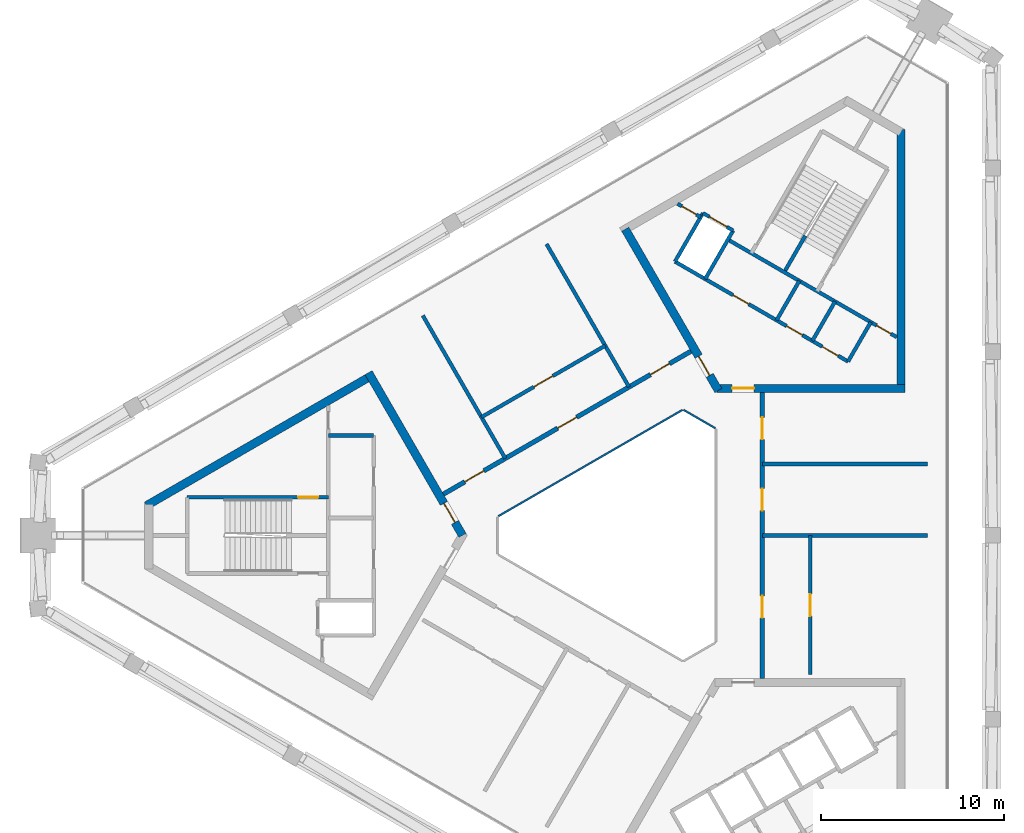
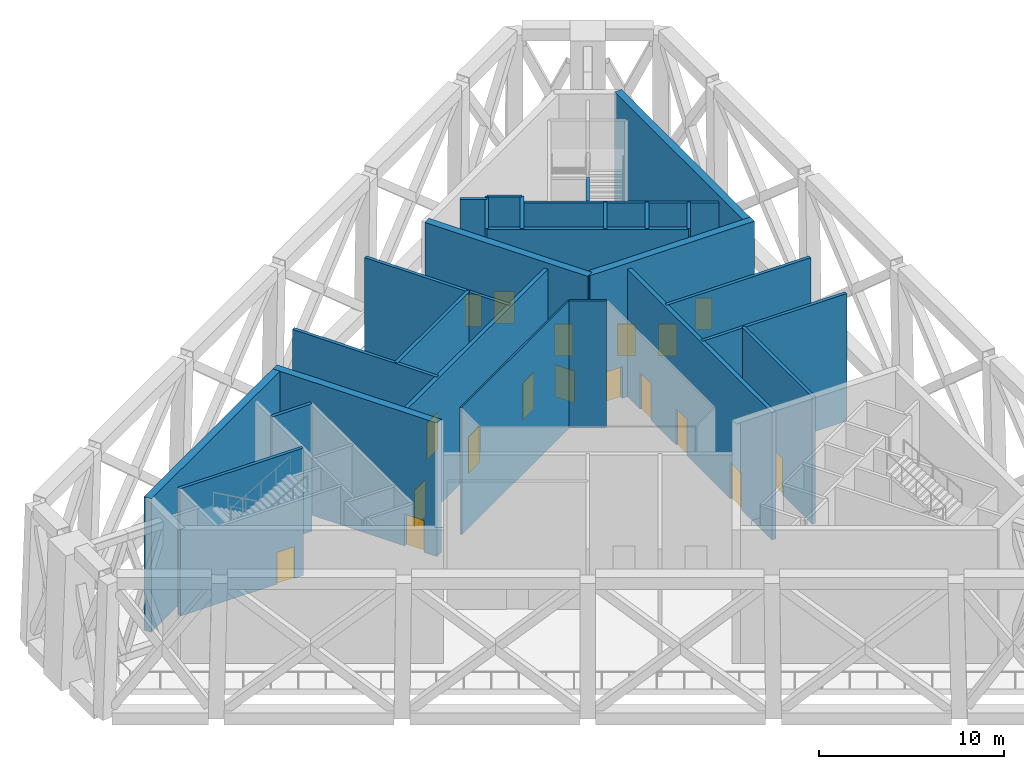
# One storey, part 5 of 8: 27 walls, 18 doors, 18 openings.
"""IFC4 building model written with IfcOpenShell, lengths in metres."""

from ifc_helpers import new_model, si_unit, direction, frame, frame_2d, origin, place, context, subcontext, project, spatial, rectangle, extrude, material, layer, layer_set, type_object, element, fill, save


model = new_model("IFC4")

# Units and contexts
model_context = context("Model", 3, precision=1e-05, world=origin(), true_north=direction((0.0, 1.0)))
body_context = subcontext(model_context, "Body", "Model", "MODEL_VIEW")
ifc_project = project(units=[si_unit("LENGTHUNIT", "METRE"), si_unit("AREAUNIT", "SQUARE_METRE"), si_unit("VOLUMEUNIT", "CUBIC_METRE"), si_unit("PLANEANGLEUNIT", "RADIAN"), si_unit("MASSUNIT", "GRAM", prefix="KILO")], contexts=[model_context])

# Site, building, storey
site_placement = place(None, origin())
site = spatial("IfcSite", under=ifc_project, at=site_placement, CompositionType="ELEMENT")
building_placement = place(site_placement, origin())
building = spatial("IfcBuilding", under=site, at=building_placement, Name="Jabali Bay Hotel Tower and Convention Centre", CompositionType="ELEMENT")
storey_placement = place(building_placement, frame((0.0, 0.0, 246.5)))
storey = spatial("IfcBuildingStorey", under=building, at=storey_placement, Name="L61", CompositionType="ELEMENT", Elevation=246.5)

# Walls
ifc_material_1 = material(Name="Fire-resistant glazing", Category="glass")
ifc_layer_1 = layer(ifc_material_1, 0.10009765625)
ifc_layer_set_1 = layer_set([ifc_layer_1], Name="Fire-resistant glazing")
wall_type_1 = type_object("IfcWallType", Name="Atrium glazed screen 100", PredefinedType="PARTITIONING", material=ifc_layer_set_1)
wall_1_placement = place(storey_placement, frame((79.530029296875, 85.84619140625, 0.0), z_axis=(0.0, 0.0, 1.0), x_axis=(-0.866041268327, 0.499972520799, 0.0)))
element("IfcWall", 1, at=wall_1_placement, inside=storey, type_object=wall_type_1, Name="Atrium screen 2 L61", PredefinedType="PARTITIONING", context=body_context, shape_type="SweptSolid", body=[
    extrude(rectangle(XDim=2.0, YDim=0.10009765625, at=frame_2d((1.0, 0.0))), origin(), (0.0, 0.0, 1.0), 8.39990234375),
])
wall_2_placement = place(storey_placement, frame((77.738037109375, 86.84619140625, 0.0), z_axis=(0.0, 0.0, 1.0), x_axis=(-0.866026658274, -0.499997827154, 0.0)))
element("IfcWall", 2, at=wall_2_placement, inside=storey, type_object=wall_type_1, Name="Atrium screen 3 L61", PredefinedType="PARTITIONING", context=body_context, shape_type="SweptSolid", body=[
    extrude(rectangle(XDim=11.58837890625, YDim=0.10009765625, at=frame_2d((5.794189453125, 0.0))), origin(), (0.0, 0.0, 1.0), 8.39990234375),
])

# Wall, opening, door
ifc_material_2 = material(Name="Concrete C40", Category="concrete")
ifc_layer_2 = layer(ifc_material_2, 0.199951171875)
ifc_layer_set_2 = layer_set([ifc_layer_2], Name="Concrete C40")
wall_type_2 = type_object("IfcWallType", Name="Core partition wall 200", PredefinedType="PARTITIONING", material=ifc_layer_set_2)
wall_3_placement = place(storey_placement, frame((78.730224609375, 97.36083984375, 0.0), z_axis=(0.0, 0.0, 1.0), x_axis=(-0.866045896294, 0.499964504253, 0.0)))
wall_3 = element("IfcWall", 3, at=wall_3_placement, inside=storey, type_object=wall_type_2, Name="Core wall 1.11 L61", PredefinedType="PARTITIONING", context=body_context, shape_type="SweptSolid", body=[
    extrude(rectangle(XDim=1.455078125, YDim=0.199951171875, at=frame_2d((0.7275390625, 0.0))), origin(), (0.0, 0.0, 1.0), 8.39990234375),
])
opening_1_placement = place(wall_3_placement, frame((0.277587890625, 0.0, 0.0)))
opening_1 = element("IfcOpeningElement", 4, at=opening_1_placement, cuts=wall_3, Name="Opening D1342", PredefinedType="OPENING", context=body_context, shape_type="SweptSolid", body=[
    extrude(rectangle(XDim=0.89990234375, YDim=2.10009765625, at=frame_2d((0.449951171875, 1.050048828125))), frame((0.0, 0.1103515625, 0.0), z_axis=(0.0, -1.0, 0.0), x_axis=(1.0, 0.0, 0.0)), (0.0, 0.0, 1.0), 0.220947265625),
])
ifc_material_3 = material(Name="Fire-rated steel door", Category="steel")
door_type_1 = type_object("IfcDoorType", Name="Vestibule fire door 900 x 2100", OperationType="NOTDEFINED", PredefinedType="NOTDEFINED", material=ifc_material_3)
door_1_placement = place(opening_1_placement, origin())
door_1 = element("IfcDoor", 5, at=door_1_placement, inside=storey, type_object=door_type_1, Name="Vestibule fire door D1342", OperationType="SINGLE_SWING_LEFT", OverallHeight=2.10009765625, OverallWidth=0.89990234375, PredefinedType="NOTDEFINED", context=body_context, shape_type="SweptSolid", body=[
    extrude(rectangle(XDim=0.89990234375, YDim=2.10009765625, at=frame_2d((0.449951171875, 1.050048828125))), frame((0.0, 0.02490234375, 0.0), z_axis=(0.0, -1.0, 0.0), x_axis=(1.0, 0.0, 0.0)), (0.0, 0.0, 1.0), 0.050048828125),
])
fill(opening_1, door_1)

# Wall
ifc_layer_3 = layer(ifc_material_2, 0.199951171875)
ifc_layer_set_3 = layer_set([ifc_layer_3], Name="Concrete C40")
wall_type_3 = type_object("IfcWallType", Name="Core stair wall 200", PredefinedType="SOLIDWALL", material=ifc_layer_set_3)
wall_4_placement = place(storey_placement, frame((60.89990234375, 85.449951171875, 0.0), z_axis=(0.0, 0.0, 1.0), x_axis=(-1.0, 0.0, 0.0)))
element("IfcWall", 6, at=wall_4_placement, inside=storey, type_object=wall_type_3, Name="Core wall 0.0 L61", PredefinedType="SOLIDWALL", context=body_context, shape_type="SweptSolid", body=[
    extrude(rectangle(XDim=2.47998046875, YDim=0.199951171875, at=frame_2d((1.239990234375, 0.0))), origin(), (0.0, 0.0, 1.0), 8.39990234375),
])

# Wall, opening, door
wall_5_placement = place(storey_placement, frame((58.419921875, 82.074951171875, 0.0), z_axis=(0.0, 0.0, 1.0), x_axis=(-1.0, 0.0, 0.0)))
wall_5 = element("IfcWall", 7, at=wall_5_placement, inside=storey, type_object=wall_type_3, Name="Core wall 0.1 L61", PredefinedType="SOLIDWALL", context=body_context, shape_type="SweptSolid", body=[
    extrude(rectangle(XDim=7.699951171875, YDim=0.199951171875, at=frame_2d((3.85009765625, 0.0))), origin(), (0.0, 0.0, 1.0), 8.39990234375),
])
opening_2_placement = place(wall_5_placement, frame((0.550048828125, 0.0, 0.0)))
opening_2 = element("IfcOpeningElement", 8, at=opening_2_placement, cuts=wall_5, Name="Opening D1336", PredefinedType="OPENING", context=body_context, shape_type="SweptSolid", body=[
    extrude(rectangle(XDim=1.10009765625, YDim=2.10009765625, at=frame_2d((0.550048828125, 1.050048828125))), frame((0.0, 0.1103515625, 0.0), z_axis=(0.0, -1.0, 0.0), x_axis=(1.0, 0.0, 0.0)), (0.0, 0.0, 1.0), 0.220947265625),
])
door_type_2 = type_object("IfcDoorType", Name="Stair fire door 1100 x 2100", OperationType="NOTDEFINED", PredefinedType="NOTDEFINED", material=ifc_material_3)
door_2_placement = place(opening_2_placement, origin())
door_2 = element("IfcDoor", 9, at=door_2_placement, inside=storey, type_object=door_type_2, Name="Stair fire door D1336", OperationType="SINGLE_SWING_LEFT", OverallHeight=2.10009765625, OverallWidth=1.10009765625, PredefinedType="NOTDEFINED", context=body_context, shape_type="SweptSolid", body=[
    extrude(rectangle(XDim=1.10009765625, YDim=2.10009765625, at=frame_2d((0.550048828125, 1.050048828125))), frame((0.0, 0.02490234375, 0.0), z_axis=(0.0, -1.0, 0.0), x_axis=(1.0, 0.0, 0.0)), (0.0, 0.0, 1.0), 0.050048828125),
])
fill(opening_2, door_2)

# Walls
for number, where, z_axis, x_axis, name in (
    (10, (86.769775390625, 89.48583984375, 0.0), (0.0, 0.0, 1.0), (0.499961042966, 0.86604789447, 0.0), "Core wall 1.0 L61"),
    (11, (84.8212890625, 90.61083984375, 0.0), (0.0, 0.0, 1.0), (0.499961042966, 0.86604789447, 0.0), "Core wall 1.1 L61"),
    (12, (82.872802734375, 91.73583984375, 0.0), (0.0, 0.0, 1.0), (0.499961042966, 0.86604789447, 0.0), "Core wall 1.3 L61"),
):
    element("IfcWall", number, at=place(storey_placement, frame(where, z_axis=z_axis, x_axis=x_axis)), inside=storey, type_object=wall_type_3, Name=name, PredefinedType="SOLIDWALL", context=body_context, shape_type="SweptSolid", body=[
        extrude(rectangle(XDim=2.480224609375, YDim=0.199951171875, at=frame_2d((1.240234375, 0.0))), origin(), (0.0, 0.0, 1.0), 8.39990234375),
    ])
wall_6_placement = place(storey_placement, frame((83.340087890625, 94.4453125, 0.0), z_axis=(0.0, 0.0, 1.0), x_axis=(0.499946605688, 0.86605622881, 0.0)))
element("IfcWall", 13, at=wall_6_placement, inside=storey, type_object=wall_type_3, Name="Core wall 1.4 L61", PredefinedType="SOLIDWALL", context=body_context, shape_type="SweptSolid", body=[
    extrude(rectangle(XDim=2.199951171875, YDim=0.199951171875, at=frame_2d((1.10009765625, 0.0))), origin(), (0.0, 0.0, 1.0), 8.39990234375),
])
for number, where, z_axis, x_axis, name in (
    (14, (78.9755859375, 93.98583984375, 0.0), (0.0, 0.0, 1.0), (0.499944174705, 0.866057632134, 0.0), "Core wall 1.7 L61"),
    (15, (77.330078125, 94.93603515625, 0.0), (0.0, 0.0, 1.0), (0.500038867431, 0.8660029625, 0.0), "Core wall 1.8 L61"),
):
    element("IfcWall", number, at=place(storey_placement, frame(where, z_axis=z_axis, x_axis=x_axis)), inside=storey, type_object=wall_type_3, Name=name, PredefinedType="SOLIDWALL", context=body_context, shape_type="SweptSolid", body=[
        extrude(rectangle(XDim=3.050048828125, YDim=0.199951171875, at=frame_2d((1.52490234375, 0.0))), origin(), (0.0, 0.0, 1.0), 8.39990234375),
    ])

# Wall, openings, doors
wall_7_placement = place(storey_placement, frame((86.769775390625, 89.48583984375, 0.0), z_axis=(0.0, 0.0, 1.0), x_axis=(-0.86601811187, 0.500012629753, 0.0)))
wall_7 = element("IfcWall", 16, at=wall_7_placement, inside=storey, type_object=wall_type_3, Name="Core wall 1.9 L61", PredefinedType="SOLIDWALL", context=body_context, shape_type="SweptSolid", body=[
    extrude(rectangle(XDim=10.900146484375, YDim=0.199951171875, at=frame_2d((5.4501953125, 0.0))), origin(), (0.0, 0.0, 1.0), 8.39990234375),
])
opening_3_placement = place(wall_7_placement, frame((0.625, 0.0, 0.0)))
opening_3 = element("IfcOpeningElement", 17, at=opening_3_placement, cuts=wall_7, Name="Opening D1339", PredefinedType="OPENING", context=body_context, shape_type="SweptSolid", body=[
    extrude(rectangle(XDim=1.0, YDim=2.10009765625, at=frame_2d((0.5, 1.050048828125))), frame((0.0, 0.1103515625, 0.0), z_axis=(0.0, -1.0, 0.0), x_axis=(1.0, 0.0, 0.0)), (0.0, 0.0, 1.0), 0.220947265625),
])
opening_4_placement = place(wall_7_placement, frame((2.875, 0.0, 0.0)))
opening_4 = element("IfcOpeningElement", 18, at=opening_4_placement, cuts=wall_7, Name="Opening D1340", PredefinedType="OPENING", context=body_context, shape_type="SweptSolid", body=[
    extrude(rectangle(XDim=1.0, YDim=2.10009765625, at=frame_2d((0.5, 1.050048828125))), frame((0.0, 0.1103515625, 0.0), z_axis=(0.0, -1.0, 0.0), x_axis=(1.0, 0.0, 0.0)), (0.0, 0.0, 1.0), 0.220947265625),
])
opening_5_placement = place(wall_7_placement, frame((6.25, 0.0, 0.0)))
opening_5 = element("IfcOpeningElement", 19, at=opening_5_placement, cuts=wall_7, Name="Opening D1341", PredefinedType="OPENING", context=body_context, shape_type="SweptSolid", body=[
    extrude(rectangle(XDim=1.0, YDim=2.10009765625, at=frame_2d((0.5, 1.050048828125))), frame((0.0, 0.1103515625, 0.0), z_axis=(0.0, -1.0, 0.0), x_axis=(1.0, 0.0, 0.0)), (0.0, 0.0, 1.0), 0.220947265625),
])
door_type_3 = type_object("IfcDoorType", Name="Core room door 1000 x 2100", OperationType="NOTDEFINED", PredefinedType="NOTDEFINED", material=ifc_material_3)
door_3_placement = place(opening_3_placement, origin())
door_3 = element("IfcDoor", 20, at=door_3_placement, inside=storey, type_object=door_type_3, Name="Core room door D1339", OperationType="SINGLE_SWING_RIGHT", OverallHeight=2.10009765625, OverallWidth=1.0, PredefinedType="NOTDEFINED", context=body_context, shape_type="SweptSolid", body=[
    extrude(rectangle(XDim=1.0, YDim=2.10009765625, at=frame_2d((0.5, 1.050048828125))), frame((0.0, 0.02490234375, 0.0), z_axis=(0.0, -1.0, 0.0), x_axis=(1.0, 0.0, 0.0)), (0.0, 0.0, 1.0), 0.050048828125),
])
fill(opening_3, door_3)
door_4_placement = place(opening_4_placement, origin())
door_4 = element("IfcDoor", 21, at=door_4_placement, inside=storey, type_object=door_type_3, Name="Core room door D1340", OperationType="SINGLE_SWING_RIGHT", OverallHeight=2.10009765625, OverallWidth=1.0, PredefinedType="NOTDEFINED", context=body_context, shape_type="SweptSolid", body=[
    extrude(rectangle(XDim=1.0, YDim=2.10009765625, at=frame_2d((0.5, 1.050048828125))), frame((0.0, 0.02490234375, 0.0), z_axis=(0.0, -1.0, 0.0), x_axis=(1.0, 0.0, 0.0)), (0.0, 0.0, 1.0), 0.050048828125),
])
fill(opening_4, door_4)
door_5_placement = place(opening_5_placement, origin())
door_5 = element("IfcDoor", 22, at=door_5_placement, inside=storey, type_object=door_type_3, Name="Core room door D1341", OperationType="SINGLE_SWING_RIGHT", OverallHeight=2.10009765625, OverallWidth=1.0, PredefinedType="NOTDEFINED", context=body_context, shape_type="SweptSolid", body=[
    extrude(rectangle(XDim=1.0, YDim=2.10009765625, at=frame_2d((0.5, 1.050048828125))), frame((0.0, 0.02490234375, 0.0), z_axis=(0.0, -1.0, 0.0), x_axis=(1.0, 0.0, 0.0)), (0.0, 0.0, 1.0), 0.050048828125),
])
fill(opening_5, door_5)

# Wall, opening, door
wall_8_placement = place(storey_placement, frame((89.429931640625, 90.813720703125, 0.0), z_axis=(0.0, 0.0, 1.0), x_axis=(-0.866018983788, 0.500011119594, 0.0)))
wall_8 = element("IfcWall", 23, at=wall_8_placement, inside=storey, type_object=wall_type_3, Name="Core wall 1.10 L61", PredefinedType="SOLIDWALL", context=body_context, shape_type="SweptSolid", body=[
    extrude(rectangle(XDim=10.639892578125, YDim=0.199951171875, at=frame_2d((5.31982421875, 0.0))), origin(), (0.0, 0.0, 1.0), 8.39990234375),
])
opening_6_placement = place(wall_8_placement, frame((0.369873046875, 0.0, 0.0)))
opening_6 = element("IfcOpeningElement", 24, at=opening_6_placement, cuts=wall_8, Name="Opening D1343", PredefinedType="OPENING", context=body_context, shape_type="SweptSolid", body=[
    extrude(rectangle(XDim=0.89990234375, YDim=2.10009765625, at=frame_2d((0.449951171875, 1.050048828125))), frame((0.0, 0.1103515625, 0.0), z_axis=(0.0, -1.0, 0.0), x_axis=(1.0, 0.0, 0.0)), (0.0, 0.0, 1.0), 0.220947265625),
])
door_6_placement = place(opening_6_placement, origin())
door_6 = element("IfcDoor", 25, at=door_6_placement, inside=storey, type_object=door_type_1, Name="Vestibule fire door D1343", OperationType="SINGLE_SWING_LEFT", OverallHeight=2.10009765625, OverallWidth=0.89990234375, PredefinedType="NOTDEFINED", context=body_context, shape_type="SweptSolid", body=[
    extrude(rectangle(XDim=0.89990234375, YDim=2.10009765625, at=frame_2d((0.449951171875, 1.050048828125))), frame((0.0, 0.02490234375, 0.0), z_axis=(0.0, -1.0, 0.0), x_axis=(1.0, 0.0, 0.0)), (0.0, 0.0, 1.0), 0.050048828125),
])
fill(opening_6, door_6)

wall_9_placement = place(storey_placement, frame((80.50048828125, 96.62744140625, 0.0), z_axis=(0.0, 0.0, 1.0), x_axis=(-0.86601224135, 0.500022797313, 0.0)))
wall_9 = element("IfcWall", 26, at=wall_9_placement, inside=storey, type_object=wall_type_3, Name="Core wall 1.12 L61", PredefinedType="SOLIDWALL", context=body_context, shape_type="SweptSolid", body=[
    extrude(rectangle(XDim=1.89990234375, YDim=0.199951171875, at=frame_2d((0.949951171875, 0.0))), origin(), (0.0, 0.0, 1.0), 8.39990234375),
])
opening_7_placement = place(wall_9_placement, frame((0.39990234375, 0.0, 0.0)))
opening_7 = element("IfcOpeningElement", 27, at=opening_7_placement, cuts=wall_9, Name="Opening LD10-L61", PredefinedType="OPENING", context=body_context, shape_type="SweptSolid", body=[
    extrude(rectangle(XDim=1.10009765625, YDim=2.10009765625, at=frame_2d((0.550048828125, 1.050048828125))), frame((0.0, 0.1103515625, 0.0), z_axis=(0.0, -1.0, 0.0), x_axis=(1.0, 0.0, 0.0)), (0.0, 0.0, 1.0), 0.220947265625),
])
ifc_material_4 = material(Name="Stainless steel landing door", Category="steel")
door_type_4 = type_object("IfcDoorType", Name="Landing door 1100 x 2100", OperationType="NOTDEFINED", PredefinedType="NOTDEFINED", material=ifc_material_4)
door_7_placement = place(opening_7_placement, origin())
door_7 = element("IfcDoor", 28, at=door_7_placement, inside=storey, type_object=door_type_4, Name="Landing doors LD10-L61", OperationType="SLIDING_TO_RIGHT", OverallHeight=2.10009765625, OverallWidth=1.10009765625, PredefinedType="NOTDEFINED", context=body_context, shape_type="SweptSolid", body=[
    extrude(rectangle(XDim=1.10009765625, YDim=2.10009765625, at=frame_2d((0.550048828125, 1.050048828125))), frame((0.0, 0.02490234375, 0.0), z_axis=(0.0, -1.0, 0.0), x_axis=(1.0, 0.0, 0.0)), (0.0, 0.0, 1.0), 0.050048828125),
])
fill(opening_7, door_7)

ifc_material_5 = material(Name="Concrete C60", Category="concrete")
ifc_layer_4 = layer(ifc_material_5, 0.449951171875)
ifc_layer_set_4 = layer_set([ifc_layer_4], Name="Concrete C60")
wall_type_4 = type_object("IfcWallType", Name="Core wall 450", PredefinedType="SHEAR", material=ifc_layer_set_4)
wall_10_placement = place(storey_placement, frame((65.740234375, 80.0, 0.0), z_axis=(0.0, 0.0, 1.0), x_axis=(-0.499991857942, 0.866030104553, 0.0)))
wall_10 = element("IfcWall", 29, at=wall_10_placement, inside=storey, type_object=wall_type_4, Name="Core wall 1.1 L61", PredefinedType="SHEAR", context=body_context, shape_type="SweptSolid", body=[
    extrude(rectangle(XDim=10.250244140625, YDim=0.449951171875, at=frame_2d((5.125, 0.0))), origin(), (0.0, 0.0, 1.0), 8.800048828125),
])
opening_8_placement = place(wall_10_placement, frame((0.820068359375, 0.0, 0.0)))
opening_8 = element("IfcOpeningElement", 30, at=opening_8_placement, cuts=wall_10, Name="Opening D1329", PredefinedType="OPENING", context=body_context, shape_type="SweptSolid", body=[
    extrude(rectangle(XDim=1.199951171875, YDim=2.10009765625, at=frame_2d((0.60009765625, 1.050048828125))), frame((0.0, 0.2353515625, 0.0), z_axis=(0.0, -1.0, 0.0), x_axis=(1.0, 0.0, 0.0)), (0.0, 0.0, 1.0), 0.470947265625),
])
door_type_5 = type_object("IfcDoorType", Name="Corridor end fire door 1200 x 2100", OperationType="NOTDEFINED", PredefinedType="NOTDEFINED", material=ifc_material_3)
door_8_placement = place(opening_8_placement, origin())
door_8 = element("IfcDoor", 31, at=door_8_placement, inside=storey, type_object=door_type_5, Name="Corridor end fire door D1329", OperationType="SINGLE_SWING_RIGHT", OverallHeight=2.10009765625, OverallWidth=1.199951171875, PredefinedType="NOTDEFINED", context=body_context, shape_type="SweptSolid", body=[
    extrude(rectangle(XDim=1.199951171875, YDim=2.10009765625, at=frame_2d((0.60009765625, 1.050048828125))), frame((0.0, 0.02490234375, 0.0), z_axis=(0.0, -1.0, 0.0), x_axis=(1.0, 0.0, 0.0)), (0.0, 0.0, 1.0), 0.050048828125),
])
fill(opening_8, door_8)

# Wall
wall_11_placement = place(storey_placement, frame((60.7275390625, 88.681884765625, 0.0), z_axis=(0.0, 0.0, 1.0), x_axis=(-0.866021613849, -0.500006564303, 0.0)))
element("IfcWall", 32, at=wall_11_placement, inside=storey, type_object=wall_type_4, Name="Core wall 1.2 L61", PredefinedType="SHEAR", context=body_context, shape_type="SweptSolid", body=[
    extrude(rectangle(XDim=14.108154296875, YDim=0.449951171875, at=frame_2d((7.05419921875, 0.0))), origin(), (0.0, 0.0, 1.0), 8.800048828125),
])

# Wall, opening, door
wall_12_placement = place(storey_placement, frame((79.6298828125, 88.019287109375, 0.0), z_axis=(0.0, 0.0, 1.0), x_axis=(1.0, 0.0, 0.0)))
wall_12 = element("IfcWall", 33, at=wall_12_placement, inside=storey, type_object=wall_type_4, Name="Core wall 2.1 L61", PredefinedType="SHEAR", context=body_context, shape_type="SweptSolid", body=[
    extrude(rectangle(XDim=10.25, YDim=0.449951171875, at=frame_2d((5.125, 0.0))), origin(), (0.0, 0.0, 1.0), 8.800048828125),
])
opening_9_placement = place(wall_12_placement, frame((0.820068359375, 0.0, 0.0)))
opening_9 = element("IfcOpeningElement", 34, at=opening_9_placement, cuts=wall_12, Name="Opening D1337", PredefinedType="OPENING", context=body_context, shape_type="SweptSolid", body=[
    extrude(rectangle(XDim=1.199951171875, YDim=2.10009765625, at=frame_2d((0.60009765625, 1.050048828125))), frame((0.0, 0.2353515625, 0.0), z_axis=(0.0, -1.0, 0.0), x_axis=(1.0, 0.0, 0.0)), (0.0, 0.0, 1.0), 0.470947265625),
])
door_9_placement = place(opening_9_placement, origin())
door_9 = element("IfcDoor", 35, at=door_9_placement, inside=storey, type_object=door_type_5, Name="Corridor end fire door D1337", OperationType="SINGLE_SWING_RIGHT", OverallHeight=2.10009765625, OverallWidth=1.199951171875, PredefinedType="NOTDEFINED", context=body_context, shape_type="SweptSolid", body=[
    extrude(rectangle(XDim=1.199951171875, YDim=2.10009765625, at=frame_2d((0.60009765625, 1.050048828125))), frame((0.0, 0.02490234375, 0.0), z_axis=(0.0, -1.0, 0.0), x_axis=(1.0, 0.0, 0.0)), (0.0, 0.0, 1.0), 0.050048828125),
])
fill(opening_9, door_9)

# Wall
wall_13_placement = place(storey_placement, frame((89.655029296875, 88.019287109375, 0.0), z_axis=(0.0, 0.0, 1.0), x_axis=(0.0, 1.0, 0.0)))
element("IfcWall", 36, at=wall_13_placement, inside=storey, type_object=wall_type_4, Name="Core wall 2.2 L61", PredefinedType="SHEAR", context=body_context, shape_type="SweptSolid", body=[
    extrude(rectangle(XDim=14.1083984375, YDim=0.449951171875, at=frame_2d((7.05419921875, 0.0))), origin(), (0.0, 0.0, 1.0), 8.800048828125),
])

# Wall, opening, door
wall_14_placement = place(storey_placement, frame((74.617431640625, 96.701171875, 0.0), z_axis=(0.0, 0.0, 1.0), x_axis=(0.499994385119, -0.866028645513, 0.0)))
wall_14 = element("IfcWall", 37, at=wall_14_placement, inside=storey, type_object=wall_type_4, Name="Core wall 2.5 L61", PredefinedType="SHEAR", context=body_context, shape_type="SweptSolid", body=[
    extrude(rectangle(XDim=10.15478515625, YDim=0.449951171875, at=frame_2d((5.077392578125, 0.0))), origin(), (0.0, 0.0, 1.0), 8.800048828125),
])
opening_10_placement = place(wall_14_placement, frame((8.0048828125, 0.0, 0.0)))
opening_10 = element("IfcOpeningElement", 38, at=opening_10_placement, cuts=wall_14, Name="Opening D1338", PredefinedType="OPENING", context=body_context, shape_type="SweptSolid", body=[
    extrude(rectangle(XDim=1.199951171875, YDim=2.10009765625, at=frame_2d((0.60009765625, 1.050048828125))), frame((0.0, 0.2353515625, 0.0), z_axis=(0.0, -1.0, 0.0), x_axis=(1.0, 0.0, 0.0)), (0.0, 0.0, 1.0), 0.470947265625),
])
door_10_placement = place(opening_10_placement, origin())
door_10 = element("IfcDoor", 39, at=door_10_placement, inside=storey, type_object=door_type_5, Name="Corridor end fire door D1338", OperationType="SINGLE_SWING_LEFT", OverallHeight=2.10009765625, OverallWidth=1.199951171875, PredefinedType="NOTDEFINED", context=body_context, shape_type="SweptSolid", body=[
    extrude(rectangle(XDim=1.199951171875, YDim=2.10009765625, at=frame_2d((0.60009765625, 1.050048828125))), frame((0.0, 0.02490234375, 0.0), z_axis=(0.0, -1.0, 0.0), x_axis=(1.0, 0.0, 0.0)), (0.0, 0.0, 1.0), 0.050048828125),
])
fill(opening_10, door_10)

# Wall, openings, doors
ifc_layer_5 = layer(ifc_material_5, 0.25)
ifc_layer_set_5 = layer_set([ifc_layer_5], Name="Concrete C60")
wall_type_5 = type_object("IfcWallType", Name="Corridor wall 250", PredefinedType="SHEAR", material=ifc_layer_set_5)
wall_15_placement = place(storey_placement, frame((82.10009765625, 72.205810546875, 0.0), z_axis=(0.0, 0.0, 1.0), x_axis=(0.0, 1.0, 0.0)))
wall_15 = element("IfcWall", 40, at=wall_15_placement, inside=storey, type_object=wall_type_5, Name="Corridor wall 1 L61", PredefinedType="SHEAR", context=body_context, shape_type="SweptSolid", body=[
    extrude(rectangle(XDim=15.58837890625, YDim=0.25, at=frame_2d((7.794189453125, 0.0))), origin(), (0.0, 0.0, 1.0), 8.39990234375),
])
opening_11_placement = place(wall_15_placement, frame((3.297119140625, 0.0, 0.0)))
opening_11 = element("IfcOpeningElement", 41, at=opening_11_placement, cuts=wall_15, Name="Opening 6101", PredefinedType="OPENING", context=body_context, shape_type="SweptSolid", body=[
    extrude(rectangle(XDim=1.199951171875, YDim=2.39990234375, at=frame_2d((0.60009765625, 1.199951171875))), frame((0.0, 0.135498046875, 0.0), z_axis=(0.0, -1.0, 0.0), x_axis=(1.0, 0.0, 0.0)), (0.0, 0.0, 1.0), 0.27099609375),
])
opening_12_placement = place(wall_15_placement, frame((9.142822265625, 0.0, 0.0)))
opening_12 = element("IfcOpeningElement", 42, at=opening_12_placement, cuts=wall_15, Name="Opening 6103", PredefinedType="OPENING", context=body_context, shape_type="SweptSolid", body=[
    extrude(rectangle(XDim=1.199951171875, YDim=2.39990234375, at=frame_2d((0.60009765625, 1.199951171875))), frame((0.0, 0.135498046875, 0.0), z_axis=(0.0, -1.0, 0.0), x_axis=(1.0, 0.0, 0.0)), (0.0, 0.0, 1.0), 0.27099609375),
])
opening_13_placement = place(wall_15_placement, frame((13.039794921875, 0.0, 0.0)))
opening_13 = element("IfcOpeningElement", 43, at=opening_13_placement, cuts=wall_15, Name="Opening 6104", PredefinedType="OPENING", context=body_context, shape_type="SweptSolid", body=[
    extrude(rectangle(XDim=1.199951171875, YDim=2.39990234375, at=frame_2d((0.60009765625, 1.199951171875))), frame((0.0, 0.135498046875, 0.0), z_axis=(0.0, -1.0, 0.0), x_axis=(1.0, 0.0, 0.0)), (0.0, 0.0, 1.0), 0.27099609375),
])
ifc_material_6 = material(Name="Steel Q355B", Category="steel")
door_type_6 = type_object("IfcDoorType", Name="Plant room door 1200 x 2400", OperationType="NOTDEFINED", PredefinedType="NOTDEFINED", material=ifc_material_6)
door_11_placement = place(opening_12_placement, origin())
door_11 = element("IfcDoor", 44, at=door_11_placement, inside=storey, type_object=door_type_6, Name="Door 6103", OperationType="SINGLE_SWING_RIGHT", OverallHeight=2.39990234375, OverallWidth=1.199951171875, PredefinedType="NOTDEFINED", context=body_context, shape_type="SweptSolid", body=[
    extrude(rectangle(XDim=1.199951171875, YDim=2.39990234375, at=frame_2d((0.60009765625, 1.199951171875))), frame((0.0, 0.02490234375, 0.0), z_axis=(0.0, -1.0, 0.0), x_axis=(1.0, 0.0, 0.0)), (0.0, 0.0, 1.0), 0.050048828125),
])
fill(opening_12, door_11)
door_12_placement = place(opening_13_placement, origin())
door_12 = element("IfcDoor", 45, at=door_12_placement, inside=storey, type_object=door_type_6, Name="Door 6104", OperationType="SINGLE_SWING_RIGHT", OverallHeight=2.39990234375, OverallWidth=1.199951171875, PredefinedType="NOTDEFINED", context=body_context, shape_type="SweptSolid", body=[
    extrude(rectangle(XDim=1.199951171875, YDim=2.39990234375, at=frame_2d((0.60009765625, 1.199951171875))), frame((0.0, 0.02490234375, 0.0), z_axis=(0.0, -1.0, 0.0), x_axis=(1.0, 0.0, 0.0)), (0.0, 0.0, 1.0), 0.050048828125),
])
fill(opening_13, door_12)
door_type_7 = type_object("IfcDoorType", Name="Refuge hall door 1200 x 2400", OperationType="NOTDEFINED", PredefinedType="NOTDEFINED", material=ifc_material_6)
door_13_placement = place(opening_11_placement, origin())
door_13 = element("IfcDoor", 46, at=door_13_placement, inside=storey, type_object=door_type_7, Name="Door 6101", OperationType="SINGLE_SWING_LEFT", OverallHeight=2.39990234375, OverallWidth=1.199951171875, PredefinedType="NOTDEFINED", context=body_context, shape_type="SweptSolid", body=[
    extrude(rectangle(XDim=1.199951171875, YDim=2.39990234375, at=frame_2d((0.60009765625, 1.199951171875))), frame((0.0, 0.02490234375, 0.0), z_axis=(0.0, -1.0, 0.0), x_axis=(1.0, 0.0, 0.0)), (0.0, 0.0, 1.0), 0.050048828125),
])
fill(opening_11, door_13)

wall_16_placement = place(storey_placement, frame((78.199951171875, 90.0458984375, 0.0), z_axis=(0.0, 0.0, 1.0), x_axis=(-0.866026492143, -0.499998114903, 0.0)))
wall_16 = element("IfcWall", 47, at=wall_16_placement, inside=storey, type_object=wall_type_5, Name="Corridor wall 2 L61", PredefinedType="SHEAR", context=body_context, shape_type="SweptSolid", body=[
    extrude(rectangle(XDim=15.58837890625, YDim=0.25, at=frame_2d((7.794189453125, 0.0))), origin(), (0.0, 0.0, 1.0), 8.39990234375),
])
opening_14_placement = place(wall_16_placement, frame((1.3486328125, 0.0, 0.0)))
opening_14 = element("IfcOpeningElement", 48, at=opening_14_placement, cuts=wall_16, Name="Opening 6105", PredefinedType="OPENING", context=body_context, shape_type="SweptSolid", body=[
    extrude(rectangle(XDim=1.199951171875, YDim=2.39990234375, at=frame_2d((0.60009765625, 1.199951171875))), frame((0.0, 0.135498046875, 0.0), z_axis=(0.0, -1.0, 0.0), x_axis=(1.0, 0.0, 0.0)), (0.0, 0.0, 1.0), 0.27099609375),
])
opening_15_placement = place(wall_16_placement, frame((7.194091796875, 0.0, 0.0)))
opening_15 = element("IfcOpeningElement", 49, at=opening_15_placement, cuts=wall_16, Name="Opening 6106", PredefinedType="OPENING", context=body_context, shape_type="SweptSolid", body=[
    extrude(rectangle(XDim=1.199951171875, YDim=2.39990234375, at=frame_2d((0.60009765625, 1.199951171875))), frame((0.0, 0.135498046875, 0.0), z_axis=(0.0, -1.0, 0.0), x_axis=(1.0, 0.0, 0.0)), (0.0, 0.0, 1.0), 0.27099609375),
])
opening_16_placement = place(wall_16_placement, frame((13.039794921875, 0.0, 0.0)))
opening_16 = element("IfcOpeningElement", 50, at=opening_16_placement, cuts=wall_16, Name="Opening 6108", PredefinedType="OPENING", context=body_context, shape_type="SweptSolid", body=[
    extrude(rectangle(XDim=1.199951171875, YDim=2.39990234375, at=frame_2d((0.60009765625, 1.199951171875))), frame((0.0, 0.135498046875, 0.0), z_axis=(0.0, -1.0, 0.0), x_axis=(1.0, 0.0, 0.0)), (0.0, 0.0, 1.0), 0.27099609375),
])
door_14_placement = place(opening_14_placement, origin())
door_14 = element("IfcDoor", 51, at=door_14_placement, inside=storey, type_object=door_type_6, Name="Door 6105", OperationType="SINGLE_SWING_LEFT", OverallHeight=2.39990234375, OverallWidth=1.199951171875, PredefinedType="NOTDEFINED", context=body_context, shape_type="SweptSolid", body=[
    extrude(rectangle(XDim=1.199951171875, YDim=2.39990234375, at=frame_2d((0.60009765625, 1.199951171875))), frame((0.0, 0.02490234375, 0.0), z_axis=(0.0, -1.0, 0.0), x_axis=(1.0, 0.0, 0.0)), (0.0, 0.0, 1.0), 0.050048828125),
])
fill(opening_14, door_14)
door_15_placement = place(opening_16_placement, origin())
door_15 = element("IfcDoor", 52, at=door_15_placement, inside=storey, type_object=door_type_6, Name="Door 6108", OperationType="SINGLE_SWING_RIGHT", OverallHeight=2.39990234375, OverallWidth=1.199951171875, PredefinedType="NOTDEFINED", context=body_context, shape_type="SweptSolid", body=[
    extrude(rectangle(XDim=1.199951171875, YDim=2.39990234375, at=frame_2d((0.60009765625, 1.199951171875))), frame((0.0, 0.02490234375, 0.0), z_axis=(0.0, -1.0, 0.0), x_axis=(1.0, 0.0, 0.0)), (0.0, 0.0, 1.0), 0.050048828125),
])
fill(opening_16, door_15)
door_16_placement = place(opening_15_placement, origin())
door_16 = element("IfcDoor", 53, at=door_16_placement, inside=storey, type_object=door_type_7, Name="Door 6106", OperationType="SINGLE_SWING_RIGHT", OverallHeight=2.39990234375, OverallWidth=1.199951171875, PredefinedType="NOTDEFINED", context=body_context, shape_type="SweptSolid", body=[
    extrude(rectangle(XDim=1.199951171875, YDim=2.39990234375, at=frame_2d((0.60009765625, 1.199951171875))), frame((0.0, 0.02490234375, 0.0), z_axis=(0.0, -1.0, 0.0), x_axis=(1.0, 0.0, 0.0)), (0.0, 0.0, 1.0), 0.050048828125),
])
fill(opening_15, door_16)

# Wall
ifc_material_7 = material(Name="Plasterboard on steel stud", Category="steel")
ifc_layer_6 = layer(ifc_material_7, 0.199951171875)
ifc_layer_set_6 = layer_set([ifc_layer_6], Name="Plasterboard on steel stud")
wall_type_6 = type_object("IfcWallType", Name="Partition 200 plant", PredefinedType="PARTITIONING", material=ifc_layer_set_6)
wall_17_placement = place(storey_placement, frame((91.10009765625, 83.897216796875, 0.0), z_axis=(0.0, 0.0, 1.0), x_axis=(-1.0, 0.0, 0.0)))
element("IfcWall", 54, at=wall_17_placement, inside=storey, type_object=wall_type_6, Name="Partition P04 L61 003", PredefinedType="PARTITIONING", context=body_context, shape_type="SweptSolid", body=[
    extrude(rectangle(XDim=9.0, YDim=0.199951171875, at=frame_2d((4.5, 0.0))), origin(), (0.0, 0.0, 1.0), 8.39990234375),
])

# Wall, opening, door
ifc_layer_7 = layer(ifc_material_7, 0.199951171875)
ifc_layer_set_7 = layer_set([ifc_layer_7], Name="Plasterboard on steel stud")
wall_type_7 = type_object("IfcWallType", Name="Partition 200 refuge", PredefinedType="PARTITIONING", material=ifc_layer_set_7)
wall_18_placement = place(storey_placement, frame((84.699951171875, 72.40478515625, 0.0), z_axis=(0.0, 0.0, 1.0), x_axis=(0.0, 1.0, 0.0)))
wall_18 = element("IfcWall", 55, at=wall_18_placement, inside=storey, type_object=wall_type_7, Name="Partition P05 L61 001", PredefinedType="PARTITIONING", context=body_context, shape_type="SweptSolid", body=[
    extrude(rectangle(XDim=7.59521484375, YDim=0.199951171875, at=frame_2d((3.797607421875, 0.0))), origin(), (0.0, 0.0, 1.0), 8.39990234375),
])
opening_17_placement = place(wall_18_placement, frame((3.197998046875, 0.0, 0.0)))
opening_17 = element("IfcOpeningElement", 56, at=opening_17_placement, cuts=wall_18, Name="Opening 6102", PredefinedType="OPENING", context=body_context, shape_type="SweptSolid", body=[
    extrude(rectangle(XDim=1.199951171875, YDim=2.39990234375, at=frame_2d((0.60009765625, 1.199951171875))), frame((0.0, 0.1103515625, 0.0), z_axis=(0.0, -1.0, 0.0), x_axis=(1.0, 0.0, 0.0)), (0.0, 0.0, 1.0), 0.220947265625),
])
door_17_placement = place(opening_17_placement, origin())
door_17 = element("IfcDoor", 57, at=door_17_placement, inside=storey, type_object=door_type_7, Name="Door 6102", OperationType="SINGLE_SWING_RIGHT", OverallHeight=2.39990234375, OverallWidth=1.199951171875, PredefinedType="NOTDEFINED", context=body_context, shape_type="SweptSolid", body=[
    extrude(rectangle(XDim=1.199951171875, YDim=2.39990234375, at=frame_2d((0.60009765625, 1.199951171875))), frame((0.0, 0.02490234375, 0.0), z_axis=(0.0, -1.0, 0.0), x_axis=(1.0, 0.0, 0.0)), (0.0, 0.0, 1.0), 0.050048828125),
])
fill(opening_17, door_17)

# Walls
for number, where, z_axis, x_axis, name in (
    (58, (91.10009765625, 80.0, 0.0), (0.0, 0.0, 1.0), (-1.0, 0.0, 0.0), "Partition P05 L61 002"),
    (59, (70.324951171875, 95.8916015625, 0.0), (0.0, 0.0, 1.0), (0.5000018851, -0.866024315419, 0.0), "Partition P05 L61 004"),
):
    element("IfcWall", number, at=place(storey_placement, frame(where, z_axis=z_axis, x_axis=x_axis)), inside=storey, type_object=wall_type_7, Name=name, PredefinedType="PARTITIONING", context=body_context, shape_type="SweptSolid", body=[
        extrude(rectangle(XDim=9.0, YDim=0.199951171875, at=frame_2d((4.5, 0.0))), origin(), (0.0, 0.0, 1.0), 8.39990234375),
    ])

# Wall, opening, door
wall_19_placement = place(storey_placement, frame((73.52490234375, 90.34912109375, 0.0), z_axis=(0.0, 0.0, 1.0), x_axis=(-0.866019710441, -0.50000986103, 0.0)))
wall_19 = element("IfcWall", 60, at=wall_19_placement, inside=storey, type_object=wall_type_7, Name="Partition P05 L61 005", PredefinedType="PARTITIONING", context=body_context, shape_type="SweptSolid", body=[
    extrude(rectangle(XDim=7.794189453125, YDim=0.199951171875, at=frame_2d((3.89697265625, 0.0))), origin(), (0.0, 0.0, 1.0), 8.39990234375),
])
opening_18_placement = place(wall_19_placement, frame((3.297119140625, 0.0, 0.0)))
opening_18 = element("IfcOpeningElement", 61, at=opening_18_placement, cuts=wall_19, Name="Opening 6107", PredefinedType="OPENING", context=body_context, shape_type="SweptSolid", body=[
    extrude(rectangle(XDim=1.199951171875, YDim=2.39990234375, at=frame_2d((0.60009765625, 1.199951171875))), frame((0.0, 0.1103515625, 0.0), z_axis=(0.0, -1.0, 0.0), x_axis=(1.0, 0.0, 0.0)), (0.0, 0.0, 1.0), 0.220947265625),
])
door_18_placement = place(opening_18_placement, origin())
door_18 = element("IfcDoor", 62, at=door_18_placement, inside=storey, type_object=door_type_7, Name="Door 6107", OperationType="SINGLE_SWING_LEFT", OverallHeight=2.39990234375, OverallWidth=1.199951171875, PredefinedType="NOTDEFINED", context=body_context, shape_type="SweptSolid", body=[
    extrude(rectangle(XDim=1.199951171875, YDim=2.39990234375, at=frame_2d((0.60009765625, 1.199951171875))), frame((0.0, 0.02490234375, 0.0), z_axis=(0.0, -1.0, 0.0), x_axis=(1.0, 0.0, 0.0)), (0.0, 0.0, 1.0), 0.050048828125),
])
fill(opening_18, door_18)

# Wall
wall_20_placement = place(storey_placement, frame((63.574951171875, 91.994384765625, 0.0), z_axis=(0.0, 0.0, 1.0), x_axis=(0.5000018851, -0.866024315419, 0.0)))
element("IfcWall", 63, at=wall_20_placement, inside=storey, type_object=wall_type_7, Name="Partition P05 L61 006", PredefinedType="PARTITIONING", context=body_context, shape_type="SweptSolid", body=[
    extrude(rectangle(XDim=9.0, YDim=0.199951171875, at=frame_2d((4.5, 0.0))), origin(), (0.0, 0.0, 1.0), 8.39990234375),
])

save(model, "model.ifc")
